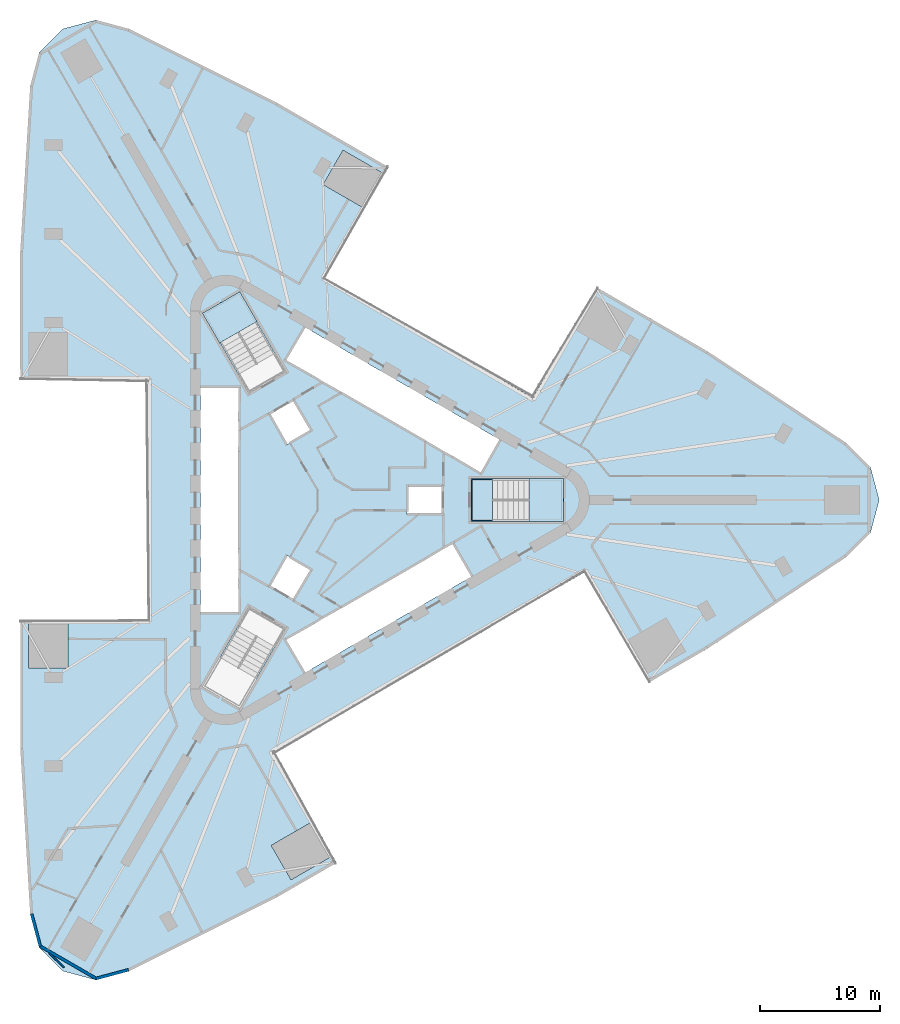
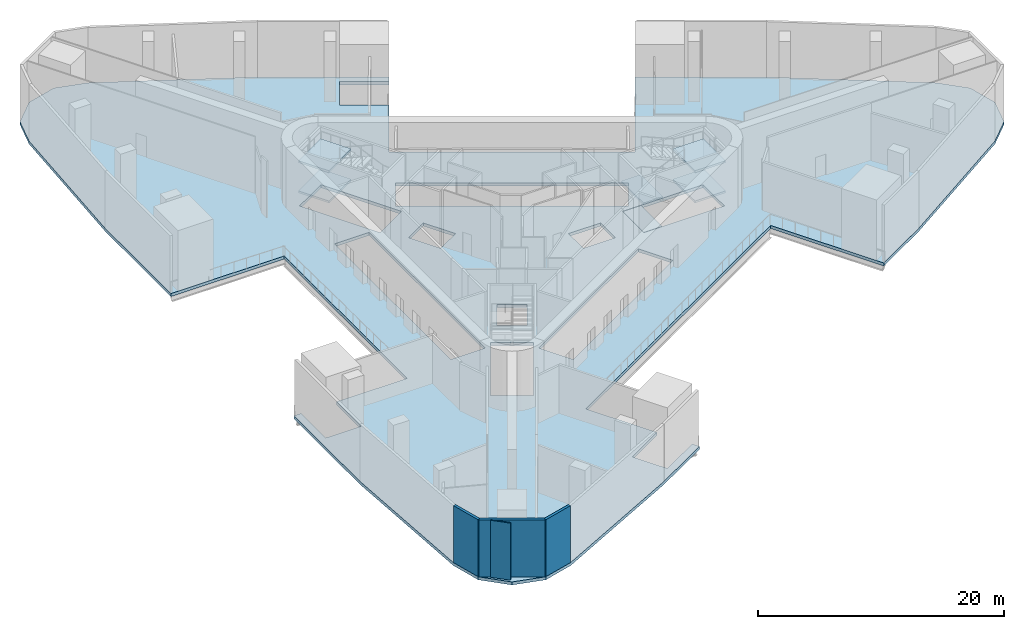
# One storey, part 2 of 11: 7 slabs, 4 walls, 2 elements without a shape of their own.
"""IFC4 building model written with IfcOpenShell, lengths in metres."""

from ifc_helpers import new_model, si_unit, direction, frame, frame_2d, origin, place, context, subcontext, project, spatial, polyline, rectangle, outline, extrude, material, layer, layer_set, type_object, element, aggregate, save


model = new_model("IFC4")

# Units and contexts
model_context = context("Model", 3, precision=1e-05, world=origin(), true_north=direction((0.0, 1.0)))
body_context = subcontext(model_context, "Body", "Model", "MODEL_VIEW")
ifc_project = project(units=[si_unit("LENGTHUNIT", "METRE"), si_unit("AREAUNIT", "SQUARE_METRE"), si_unit("VOLUMEUNIT", "CUBIC_METRE"), si_unit("PLANEANGLEUNIT", "RADIAN"), si_unit("MASSUNIT", "GRAM", prefix="KILO")], contexts=[model_context])

# Site, building, storey
site_placement = place(None, origin())
site = spatial("IfcSite", under=ifc_project, at=site_placement, CompositionType="ELEMENT")
building_placement = place(site_placement, origin())
building = spatial("IfcBuilding", under=site, at=building_placement, Name="Tanit Gate Tower", CompositionType="ELEMENT")
storey_placement = place(building_placement, frame((0.0, 0.0, 33.5)))
storey = spatial("IfcBuildingStorey", under=building, at=storey_placement, Name="L05", CompositionType="ELEMENT", Elevation=33.5)

# Stair, slabs
ifc_material_1 = material(Name="Concrete C40/50", Category="concrete")
stair_type = type_object("IfcStairType", Name="INT-STAIR-EXIT", PredefinedType="HALF_TURN_STAIR", material=ifc_material_1)
stair_1_placement = place(storey_placement, origin())
stair_1 = element("IfcStair", 1, at=stair_1_placement, inside=storey, type_object=stair_type, Name="L05 STAIR S1", PredefinedType="HALF_TURN_STAIR")
ifc_material_2 = material(Name="Concrete C40/50", Category="concrete")
ifc_layer_1 = layer(ifc_material_2, 0.199951171875)
ifc_layer_set_1 = layer_set([ifc_layer_1], Name="INT-STAIR-LANDING")
slab_type_1 = type_object("IfcSlabType", Name="INT-STAIR-LANDING", PredefinedType="LANDING", material=ifc_layer_set_1)
slab_1_placement = place(storey_placement, frame((0.0, 0.0, 1.300048828125)))
slab_1 = element("IfcSlab", 2, at=slab_1_placement, type_object=slab_type_1, Name="S1 landing 1", PredefinedType="LANDING", context=body_context, shape_type="SweptSolid", body=[
    extrude(outline(polyline([(16.135986328125, -1.800048828125), (19.0, -1.800048828125), (19.0, 1.800048828125), (16.135986328125, 1.800048828125), (16.135986328125, -1.800048828125)])), origin(), (0.0, 0.0, 1.0), 0.199951171875),
])
slab_2_placement = place(storey_placement, frame((0.0, 0.0, 2.800048828125)))
slab_2 = element("IfcSlab", 3, at=slab_2_placement, type_object=slab_type_1, Name="S1 landing 2", PredefinedType="LANDING", context=body_context, shape_type="SweptSolid", body=[
    extrude(outline(polyline([(11.300048828125, -1.800048828125), (13.10498046875, -1.800048828125), (13.10498046875, 1.800048828125), (11.300048828125, 1.800048828125), (11.300048828125, -1.800048828125)])), origin(), (0.0, 0.0, 1.0), 0.199951171875),
])
slab_3_placement = place(storey_placement, frame((0.0, 0.0, 4.300048828125)))
slab_3 = element("IfcSlab", 4, at=slab_3_placement, type_object=slab_type_1, Name="S1 landing 3", PredefinedType="LANDING", context=body_context, shape_type="SweptSolid", body=[
    extrude(outline(polyline([(16.135986328125, -1.800048828125), (19.0, -1.800048828125), (19.0, 1.800048828125), (16.135986328125, 1.800048828125), (16.135986328125, -1.800048828125)])), origin(), (0.0, 0.0, 1.0), 0.199951171875),
])
aggregate(stair_1, [slab_1, slab_2, slab_3])

# Slab
slab_4_placement = place(storey_placement, frame((0.0, 0.0, -0.199951171875)))
element("IfcSlab", 5, at=slab_4_placement, inside=storey, type_object=slab_type_1, Name="S1 floor landing", PredefinedType="LANDING", context=body_context, shape_type="SweptSolid", body=[
    extrude(outline(polyline([(11.3798828125, -1.719970703125), (13.10498046875, -1.719970703125), (13.10498046875, 1.719970703125), (11.3798828125, 1.719970703125), (11.3798828125, -1.719970703125)])), origin(), (0.0, 0.0, 1.0), 0.199951171875),
])

# Stair, slabs
stair_2_placement = place(storey_placement, origin())
stair_2 = element("IfcStair", 6, at=stair_2_placement, inside=storey, type_object=stair_type, Name="L05 STAIR S2", PredefinedType="HALF_TURN_STAIR")
slab_5_placement = place(storey_placement, frame((0.0, 0.0, 1.300048828125)))
slab_5 = element("IfcSlab", 7, at=slab_5_placement, type_object=slab_type_1, Name="S2 landing 1", PredefinedType="LANDING", context=body_context, shape_type="SweptSolid", body=[
    extrude(outline(polyline([(-6.5078125, 14.871826171875), (-7.941162109375, 17.3544921875), (-11.058837890625, 15.554443359375), (-9.62548828125, 13.07177734375), (-6.5078125, 14.871826171875)])), origin(), (0.0, 0.0, 1.0), 0.199951171875),
])
slab_6_placement = place(storey_placement, frame((0.0, 0.0, 4.300048828125)))
slab_6 = element("IfcSlab", 8, at=slab_6_placement, type_object=slab_type_1, Name="S2 landing 3", PredefinedType="LANDING", context=body_context, shape_type="SweptSolid", body=[
    extrude(outline(polyline([(-6.5078125, 14.871826171875), (-7.941162109375, 17.3544921875), (-11.058837890625, 15.554443359375), (-9.62548828125, 13.07177734375), (-6.5078125, 14.871826171875)])), origin(), (0.0, 0.0, 1.0), 0.199951171875),
])
aggregate(stair_2, [slab_5, slab_6])

# Slab
ifc_material_3 = material(Name="Concrete C35/45", Category="concrete")
ifc_layer_2 = layer(ifc_material_3, 0.300048828125)
ifc_layer_set_2 = layer_set([ifc_layer_2], Name="PODIUM FLOOR SLAB 300 C35/45")
slab_type_2 = type_object("IfcSlabType", Name="PODIUM FLOOR SLAB 300 C35/45", PredefinedType="FLOOR", material=ifc_layer_set_2)
slab_7_placement = place(storey_placement, frame((0.0, 0.0, -0.300048828125)))
element("IfcSlab", 9, at=slab_7_placement, inside=storey, type_object=slab_type_2, Name="FLOOR SLAB L05", PredefinedType="FLOOR", context=body_context, shape_type="SweptSolid", body=[
    extrude(outline(polyline([(42.5634765625, 4.75927734375), (44.574951171875, 2.747802734375), (45.311279296875, 0.0), (44.574951171875, -2.747802734375), (42.5634765625, -4.75927734375), (31.030517578125, -12.368896484375), (26.10400390625, -15.213623046875), (20.790283203125, -6.010009765625), (-5.1904296875, -21.010009765625), (-1.86376953125, -26.77197265625), (-5.327880859375, -28.77197265625), (-3.677734375, -31.6298828125), (-0.213623046875, -29.6298828125), (0.124267578125, -30.21533203125), (-4.80224609375, -33.06005859375), (-17.16015625, -39.24072265625), (-19.907958984375, -39.97705078125), (-22.655517578125, -39.24072265625), (-24.6669921875, -37.229248046875), (-25.4033203125, -34.4814453125), (-26.22705078125, -20.68896484375), (-26.227783203125, -10.0), (-25.553466796875, -10.0), (-25.553466796875, -14.0), (-22.25341796875, -14.0), (-22.25341796875, -10.0), (-15.60009765625, -10.0), (-15.60009765625, 10.0), (-26.22900390625, 10.0), (-26.229736328125, 20.68896484375), (-25.4033203125, 34.4814453125), (-24.6669921875, 37.229248046875), (-22.655517578125, 39.24072265625), (-19.907958984375, 39.97705078125), (-17.16015625, 39.24072265625), (-4.8037109375, 33.0576171875), (4.45361328125, 27.7138671875), (4.116455078125, 27.1298828125), (0.65234375, 29.1298828125), (-0.99755859375, 26.27197265625), (2.466552734375, 24.27197265625), (-0.8603515625, 18.510009765625), (16.460205078125, 8.510009765625), (21.77490234375, 17.715087890625), (31.031982421875, 12.371337890625), (42.5634765625, 4.75927734375)]), holes=[polyline([(18.929931640625, 1.72998046875), (18.929931640625, -1.72998046875), (11.3701171875, -1.72998046875), (11.3701171875, 1.72998046875), (18.929931640625, 1.72998046875)]), polyline([(-4.208984375, 11.60986328125), (-2.583984375, 14.424560546875), (13.783935546875, 4.974609375), (12.158935546875, 2.159912109375), (-4.208984375, 11.60986328125)]), polyline([(-4.208984375, -11.60986328125), (9.82080078125, -3.510009765625), (11.44580078125, -6.324462890625), (-2.583984375, -14.424560546875), (-4.208984375, -11.60986328125)]), polyline([(9.0, 1.199951171875), (9.0, -1.199951171875), (6.0, -1.199951171875), (6.0, 1.199951171875), (9.0, 1.199951171875)]), polyline([(-5.539306640625, 7.194091796875), (-3.460693359375, 8.394287109375), (-1.960693359375, 5.796142578125), (-4.039306640625, 4.59619140625), (-5.539306640625, 7.194091796875)]), polyline([(-3.460693359375, -8.394287109375), (-5.539306640625, -7.194091796875), (-4.039306640625, -4.59619140625), (-1.960693359375, -5.796142578125), (-3.460693359375, -8.394287109375)]), polyline([(-7.18310546875, 8.981689453125), (-10.963134765625, 15.52880859375), (-7.966796875, 17.2587890625), (-4.186767578125, 10.711669921875), (-7.18310546875, 8.981689453125)]), polyline([(-4.186767578125, -10.711669921875), (-7.966796875, -17.2587890625), (-10.963134765625, -15.52880859375), (-7.18310546875, -8.981689453125), (-4.186767578125, -10.711669921875)]), polyline([(-11.199951171875, -9.449951171875), (-11.199951171875, 9.449951171875), (-7.949951171875, 9.449951171875), (-7.949951171875, -9.449951171875), (-11.199951171875, -9.449951171875)])]), origin(), (0.0, 0.0, 1.0), 0.300048828125),
])

# Walls
ifc_material_4 = material(Name="Concrete C30/37 with bronze anodised aluminium cladding", Category="concrete")
ifc_layer_3 = layer(ifc_material_4, 0.239990234375)
ifc_layer_set_3 = layer_set([ifc_layer_3], Name="Facade wall bronze clad 240")
wall_type_1 = type_object("IfcWallType", Name="Facade wall bronze clad 240", PredefinedType="SOLIDWALL", material=ifc_layer_set_3)
wall_1_placement = place(storey_placement, frame((-25.284423828125, -34.462158203125, 0.0), z_axis=(0.0, 0.0, 1.0), x_axis=(0.258850842196, -0.965917305723, 0.0)))
element("IfcWall", 10, at=wall_1_placement, inside=storey, type_object=wall_type_1, Name="Bronze-clad facade wall L05 SW.arc1", PredefinedType="SOLIDWALL", context=body_context, shape_type="SweptSolid", body=[
    extrude(rectangle(XDim=2.80029296875, YDim=0.239990234375, at=frame_2d((1.400146484375, 0.0))), origin(), (0.0, 0.0, 1.0), 5.64990234375),
])
wall_2_placement = place(storey_placement, frame((-24.5595703125, -37.1669921875, 0.0), z_axis=(0.0, 0.0, 1.0), x_axis=(0.866010734295, -0.500025407441, 0.0)))
element("IfcWall", 11, at=wall_2_placement, inside=storey, type_object=wall_type_1, Name="Bronze-clad facade wall L05 SW.arc2", PredefinedType="SOLIDWALL", context=body_context, shape_type="SweptSolid", body=[
    extrude(rectangle(XDim=5.371337890625, YDim=0.239990234375, at=frame_2d((2.685546875, 0.0))), origin(), (0.0, 0.0, 1.0), 5.64990234375),
])
wall_3_placement = place(storey_placement, frame((-19.907958984375, -39.852783203125, 0.0), z_axis=(0.0, 0.0, 1.0), x_axis=(0.965923146675, 0.25882904535, 0.0)))
element("IfcWall", 12, at=wall_3_placement, inside=storey, type_object=wall_type_1, Name="Bronze-clad facade wall L05 SW.arc3", PredefinedType="SOLIDWALL", context=body_context, shape_type="SweptSolid", body=[
    extrude(rectangle(XDim=2.800537109375, YDim=0.239990234375, at=frame_2d((1.400390625, 0.0))), origin(), (0.0, 0.0, 1.0), 5.64990234375),
])
ifc_material_5 = material(Name="Gypsum board partition")
ifc_layer_4 = layer(ifc_material_5, 0.1201171875)
ifc_layer_set_4 = layer_set([ifc_layer_4], Name="INT-WALL-PARTITION")
wall_type_2 = type_object("IfcWallType", Name="INT-WALL-PARTITION", PredefinedType="PARTITIONING", material=ifc_layer_set_4)
wall_4_placement = place(storey_placement, frame((-23.80029296875, -37.743896484375, 0.0), z_axis=(0.0, 0.0, 1.0), x_axis=(0.717273158196, -0.696792089888, 0.0)))
element("IfcWall", 13, at=wall_4_placement, inside=storey, type_object=wall_type_2, Name="Wall Partition W096", PredefinedType="PARTITIONING", context=body_context, shape_type="SweptSolid", body=[
    extrude(rectangle(XDim=1.6806640625, YDim=0.1201171875, at=frame_2d((0.84033203125, 0.0))), origin(), (0.0, 0.0, 1.0), 5.64990234375),
])

save(model, "model.ifc")
